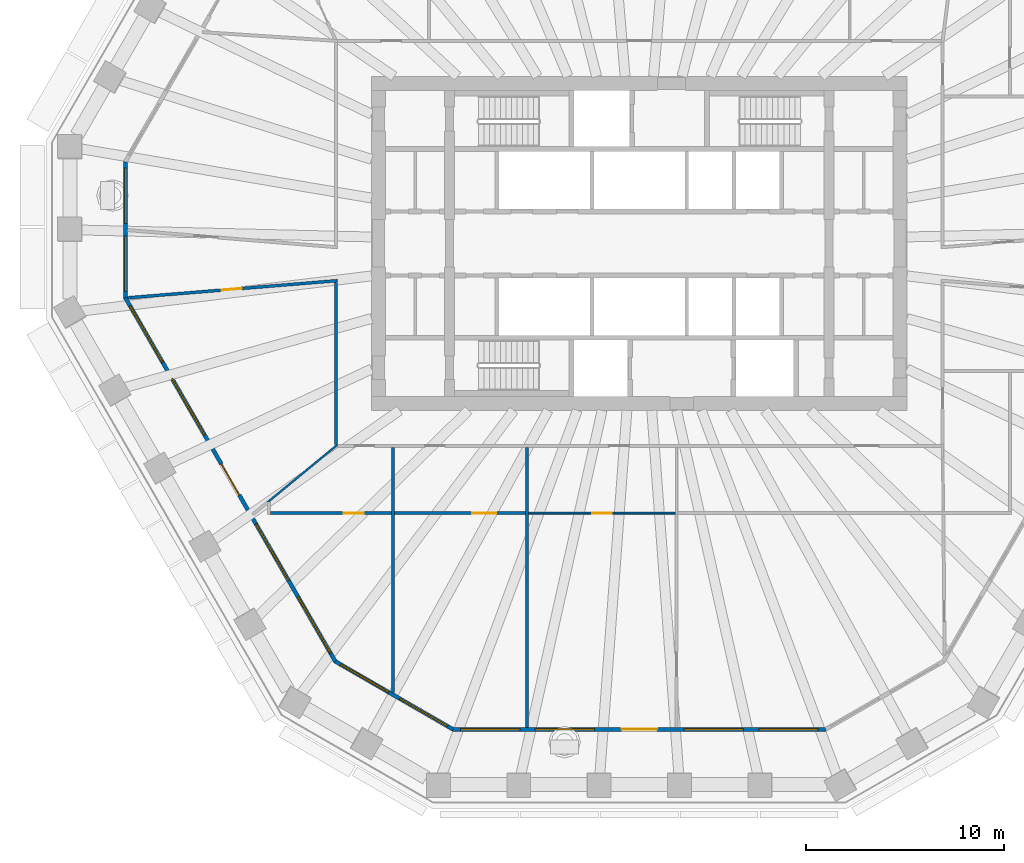
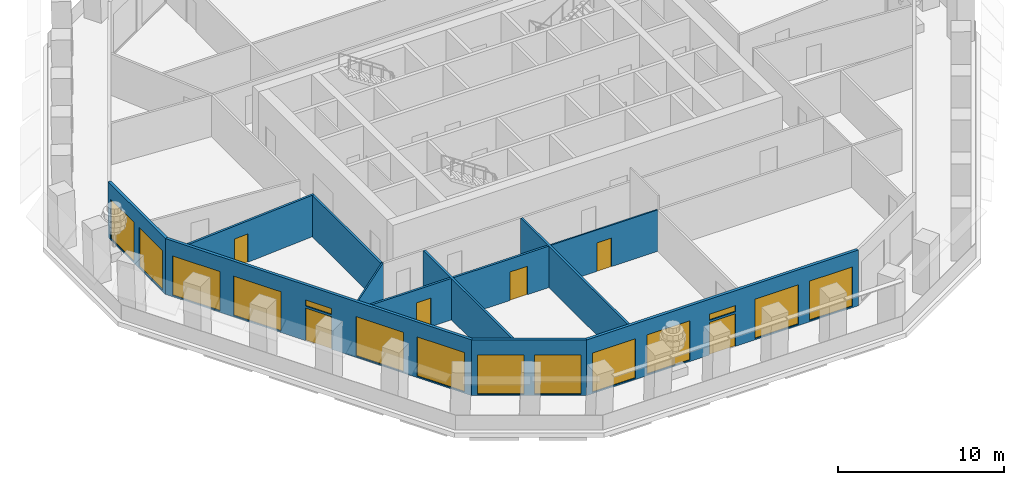
# One storey, part 3 of 13: 14 windows, 11 walls, 6 doors, 20 openings.
"""IFC4 building model written with IfcOpenShell, lengths in metres."""

from ifc_helpers import new_model, si_unit, direction, frame, frame_2d, origin, place, context, subcontext, project, spatial, polyline, rectangle, outline, extrude, material, layer, layer_set, type_object, element, fill, save


model = new_model("IFC4")

# Units and contexts
model_context = context("Model", 3, precision=1e-05, world=origin(), true_north=direction((0.0, 1.0)))
body_context = subcontext(model_context, "Body", "Model", "MODEL_VIEW")
ifc_project = project(units=[si_unit("LENGTHUNIT", "METRE"), si_unit("AREAUNIT", "SQUARE_METRE"), si_unit("VOLUMEUNIT", "CUBIC_METRE"), si_unit("PLANEANGLEUNIT", "RADIAN"), si_unit("MASSUNIT", "GRAM", prefix="KILO")], contexts=[model_context])

# Site, building, storey
site_placement = place(None, origin())
site = spatial("IfcSite", under=ifc_project, at=site_placement, CompositionType="ELEMENT")
building_placement = place(site_placement, origin())
building = spatial("IfcBuilding", under=site, at=building_placement, Name="Frailejon Research Tower", CompositionType="ELEMENT")
storey_placement = place(building_placement, frame((0.0, 0.0, 167.199951171875)))
storey = spatial("IfcBuildingStorey", under=building, at=storey_placement, Name="L36", CompositionType="ELEMENT", Elevation=167.199951171875)

# Wall
ifc_material_1 = material(Name="Gypsum board and masonry partition", Category="masonry")
ifc_layer_1 = layer(ifc_material_1, 0.14990234375)
ifc_layer_set_1 = layer_set([ifc_layer_1], Name="Corridor wall EI 60, gypsum on steel studs 150")
wall_type_1 = type_object("IfcWallType", Name="Corridor wall EI 60, gypsum on steel studs 150", PredefinedType="PARTITIONING", material=ifc_layer_set_1)
wall_1_placement = place(storey_placement, frame((-15.35009765625, -10.175048828125, 0.0), z_axis=(0.0, 0.0, 1.0), x_axis=(0.0, 1.0, 0.0)))
element("IfcWall", 1, at=wall_1_placement, inside=storey, type_object=wall_type_1, Name="T:IW:L36:004", PredefinedType="PARTITIONING", context=body_context, shape_type="SweptSolid", body=[
    extrude(rectangle(XDim=8.209228515625, YDim=0.14990234375, at=frame_2d((4.1044921875, 0.0))), origin(), (0.0, 0.0, 1.0), 3.050048828125),
])

# Wall, opening, door
wall_2_placement = place(storey_placement, frame((-25.8916015625, -2.754638671875, 0.0), z_axis=(0.0, 0.0, 1.0), x_axis=(0.996658010699, 0.081687267734, 0.0)))
wall_2 = element("IfcWall", 2, at=wall_2_placement, inside=storey, type_object=wall_type_1, Name="T:IW:L36:008", PredefinedType="PARTITIONING", context=body_context, shape_type="SweptSolid", body=[
    extrude(rectangle(XDim=10.65185546875, YDim=0.14990234375, at=frame_2d((5.325927734375, 0.0))), origin(), (0.0, 0.0, 1.0), 3.050048828125),
])
opening_1_placement = place(wall_2_placement, frame((4.788330078125, 0.0, 0.0)))
opening_1 = element("IfcOpeningElement", 3, at=opening_1_placement, cuts=wall_2, Name="Opening D1791", PredefinedType="OPENING", context=body_context, shape_type="SweptSolid", body=[
    extrude(rectangle(XDim=1.0, YDim=2.10009765625, at=frame_2d((0.5, 1.050048828125))), frame((0.0, 0.0849609375, 0.0), z_axis=(0.0, -1.0, 0.0), x_axis=(1.0, 0.0, 0.0)), (0.0, 0.0, 1.0), 0.169921875),
])
ifc_material_2 = material(Name="Timber door leaf", Category="wood")
door_type_1 = type_object("IfcDoorType", Name="Door single leaf, timber, steel frame 1000", OperationType="NOTDEFINED", PredefinedType="DOOR", material=ifc_material_2)
door_1_placement = place(opening_1_placement, origin())
door_1 = element("IfcDoor", 4, at=door_1_placement, inside=storey, type_object=door_type_1, Name="D1791", OperationType="SINGLE_SWING_LEFT", OverallHeight=2.10009765625, OverallWidth=1.0, PredefinedType="DOOR", context=body_context, shape_type="SweptSolid", body=[
    extrude(rectangle(XDim=1.0, YDim=2.10009765625, at=frame_2d((0.5, 1.050048828125))), frame((0.0, 0.02490234375, 0.0), z_axis=(0.0, -1.0, 0.0), x_axis=(1.0, 0.0, 0.0)), (0.0, 0.0, 1.0), 0.050048828125),
])
fill(opening_1, door_1)

# Wall, openings, doors
ifc_material_3 = material(Name="Gypsum board and masonry partition", Category="masonry")
ifc_layer_2 = layer(ifc_material_3, 0.14990234375)
ifc_layer_set_2 = layer_set([ifc_layer_2], Name="Laboratory partition, blockwork 150")
wall_type_2 = type_object("IfcWallType", Name="Laboratory partition, blockwork 150", PredefinedType="PARTITIONING", material=ifc_layer_set_2)
wall_3_placement = place(storey_placement, frame((-18.675048828125, -13.64990234375, 0.0), z_axis=(0.0, 0.0, 1.0), x_axis=(1.0, 0.0, 0.0)))
wall_3 = element("IfcWall", 5, at=wall_3_placement, inside=storey, type_object=wall_type_2, Name="T:IW:L36:022", PredefinedType="PARTITIONING", context=body_context, shape_type="SweptSolid", body=[
    extrude(rectangle(XDim=12.92578125, YDim=0.14990234375, at=frame_2d((6.462890625, 0.0))), origin(), (0.0, 0.0, 1.0), 3.050048828125),
])
opening_2_placement = place(wall_3_placement, frame((3.719482421875, 0.0, 0.0)))
opening_2 = element("IfcOpeningElement", 6, at=opening_2_placement, cuts=wall_3, Name="Opening D1793", PredefinedType="OPENING", context=body_context, shape_type="SweptSolid", body=[
    extrude(rectangle(XDim=1.0, YDim=2.10009765625, at=frame_2d((0.5, 1.050048828125))), frame((0.0, 0.0849609375, 0.0), z_axis=(0.0, -1.0, 0.0), x_axis=(1.0, 0.0, 0.0)), (0.0, 0.0, 1.0), 0.169921875),
])
opening_3_placement = place(wall_3_placement, frame((10.22998046875, 0.0, 0.0)))
opening_3 = element("IfcOpeningElement", 7, at=opening_3_placement, cuts=wall_3, Name="Opening D1795", PredefinedType="OPENING", context=body_context, shape_type="SweptSolid", body=[
    extrude(rectangle(XDim=1.199951171875, YDim=2.10009765625, at=frame_2d((0.60009765625, 1.050048828125))), frame((0.0, 0.0849609375, 0.0), z_axis=(0.0, -1.0, 0.0), x_axis=(1.0, 0.0, 0.0)), (0.0, 0.0, 1.0), 0.169921875),
])
ifc_material_4 = material(Name="Timber door leaf", Category="wood")
door_type_2 = type_object("IfcDoorType", Name="Door laboratory, timber, vision panel 1000", OperationType="NOTDEFINED", PredefinedType="DOOR", material=ifc_material_4)
door_2_placement = place(opening_2_placement, origin())
door_2 = element("IfcDoor", 8, at=door_2_placement, inside=storey, type_object=door_type_2, Name="D1793", OperationType="SINGLE_SWING_RIGHT", OverallHeight=2.10009765625, OverallWidth=1.0, PredefinedType="DOOR", context=body_context, shape_type="SweptSolid", body=[
    extrude(rectangle(XDim=1.0, YDim=2.10009765625, at=frame_2d((0.5, 1.050048828125))), frame((0.0, 0.02490234375, 0.0), z_axis=(0.0, -1.0, 0.0), x_axis=(1.0, 0.0, 0.0)), (0.0, 0.0, 1.0), 0.050048828125),
])
fill(opening_2, door_2)
ifc_material_5 = material(Name="Timber door leaf", Category="wood")
door_type_3 = type_object("IfcDoorType", Name="Door laboratory, timber, vision panel 1200", OperationType="NOTDEFINED", PredefinedType="DOOR", material=ifc_material_5)
door_3_placement = place(opening_3_placement, origin())
door_3 = element("IfcDoor", 9, at=door_3_placement, inside=storey, type_object=door_type_3, Name="D1795", OperationType="DOUBLE_DOOR_SINGLE_SWING", OverallHeight=2.10009765625, OverallWidth=1.199951171875, PredefinedType="DOOR", context=body_context, shape_type="SweptSolid", body=[
    extrude(rectangle(XDim=1.199951171875, YDim=2.10009765625, at=frame_2d((0.60009765625, 1.050048828125))), frame((0.0, 0.02490234375, 0.0), z_axis=(0.0, -1.0, 0.0), x_axis=(1.0, 0.0, 0.0)), (0.0, 0.0, 1.0), 0.050048828125),
])
fill(opening_3, door_3)

# Walls
wall_4_placement = place(storey_placement, frame((-12.457275390625, -22.728515625, 0.0), z_axis=(0.0, 0.0, 1.0), x_axis=(0.0, 1.0, 0.0)))
element("IfcWall", 10, at=wall_4_placement, inside=storey, type_object=wall_type_2, Name="T:IW:L36:025", PredefinedType="PARTITIONING", context=body_context, shape_type="SweptSolid", body=[
    extrude(rectangle(XDim=12.403564453125, YDim=0.14990234375, at=frame_2d((6.20166015625, 0.0))), origin(), (0.0, 0.0, 1.0), 3.050048828125),
])
wall_5_placement = place(storey_placement, frame((-5.67431640625, -24.491455078125, 0.0), z_axis=(0.0, 0.0, 1.0), x_axis=(0.0, 1.0, 0.0)))
element("IfcWall", 11, at=wall_5_placement, inside=storey, type_object=wall_type_2, Name="T:IW:L36:026", PredefinedType="PARTITIONING", context=body_context, shape_type="SweptSolid", body=[
    extrude(rectangle(XDim=14.16650390625, YDim=0.14990234375, at=frame_2d((7.083251953125, 0.0))), origin(), (0.0, 0.0, 1.0), 3.050048828125),
])
ifc_material_6 = material(Name="Gypsum board and masonry partition", Category="masonry")
ifc_layer_3 = layer(ifc_material_6, 0.10009765625)
ifc_layer_set_3 = layer_set([ifc_layer_3], Name="Partition, gypsum on steel studs 100")
wall_type_3 = type_object("IfcWallType", Name="Partition, gypsum on steel studs 100", PredefinedType="PARTITIONING", material=ifc_layer_set_3)
wall_6_placement = place(storey_placement, frame((-18.807861328125, -13.095703125, 0.0), z_axis=(0.0, 0.0, 1.0), x_axis=(0.772157704822, 0.635430939508, 0.0)))
element("IfcWall", 12, at=wall_6_placement, inside=storey, type_object=wall_type_3, Name="T:IW:L36:032", PredefinedType="PARTITIONING", context=body_context, shape_type="SweptSolid", body=[
    extrude(rectangle(XDim=4.55322265625, YDim=0.10009765625, at=frame_2d((2.276611328125, 0.0))), origin(), (0.0, 0.0, 1.0), 3.050048828125),
])

# Wall, opening, door
wall_7_placement = place(storey_placement, frame((-5.599365234375, -13.64990234375, 0.0), z_axis=(0.0, 0.0, 1.0), x_axis=(1.0, 0.0, 0.0)))
wall_7 = element("IfcWall", 13, at=wall_7_placement, inside=storey, type_object=wall_type_3, Name="T:IW:L36:033", PredefinedType="PARTITIONING", context=body_context, shape_type="SweptSolid", body=[
    extrude(rectangle(XDim=7.440673828125, YDim=0.10009765625, at=frame_2d((3.72021484375, 0.0))), origin(), (0.0, 0.0, 1.0), 3.050048828125),
])
opening_4_placement = place(wall_7_placement, frame((3.2080078125, 0.0, 0.0)))
opening_4 = element("IfcOpeningElement", 14, at=opening_4_placement, cuts=wall_7, Name="Opening D1797", PredefinedType="OPENING", context=body_context, shape_type="SweptSolid", body=[
    extrude(rectangle(XDim=1.0, YDim=2.10009765625, at=frame_2d((0.5, 1.050048828125))), frame((0.0, 0.06005859375, 0.0), z_axis=(0.0, -1.0, 0.0), x_axis=(1.0, 0.0, 0.0)), (0.0, 0.0, 1.0), 0.1201171875),
])
door_4_placement = place(opening_4_placement, origin())
door_4 = element("IfcDoor", 15, at=door_4_placement, inside=storey, type_object=door_type_1, Name="D1797", OperationType="SINGLE_SWING_RIGHT", OverallHeight=2.10009765625, OverallWidth=1.0, PredefinedType="DOOR", context=body_context, shape_type="SweptSolid", body=[
    extrude(rectangle(XDim=1.0, YDim=2.10009765625, at=frame_2d((0.5, 1.050048828125))), frame((0.0, 0.02490234375, 0.0), z_axis=(0.0, -1.0, 0.0), x_axis=(1.0, 0.0, 0.0)), (0.0, 0.0, 1.0), 0.050048828125),
])
fill(opening_4, door_4)

# Wall, openings, windows
ifc_material_7 = material(Name="Concrete C40/50 precast window wall panel", Category="concrete")
ifc_layer_4 = layer(ifc_material_7, 0.199951171875)
ifc_layer_set_4 = layer_set([ifc_layer_4], Name="Window wall 200")
wall_type_4 = type_object("IfcWallType", Name="Window wall 200", PredefinedType="SOLIDWALL", material=ifc_layer_set_4)
wall_8_placement = place(storey_placement, frame((-26.011962890625, 4.128662109375, 0.0), z_axis=(0.0, 0.0, 1.0), x_axis=(0.0, -1.0, 0.0)))
wall_8 = element("IfcWall", 16, at=wall_8_placement, inside=storey, type_object=wall_type_4, Name="Exterior wall L36", PredefinedType="SOLIDWALL", context=body_context, shape_type="SweptSolid", body=[
    extrude(outline(polyline([(-0.02685546875, -0.10009765625), (1.1279296875, -0.10009765625), (2.282470703125, -0.10009765625), (3.437255859375, -0.10009765625), (4.592041015625, -0.10009765625), (5.74658203125, -0.10009765625), (6.9013671875, -0.10009765625), (6.84765625, 0.10009765625), (5.7109375, 0.10009765625), (4.573974609375, 0.10009765625), (3.437255859375, 0.10009765625), (2.300537109375, 0.10009765625), (1.16357421875, 0.10009765625), (0.02685546875, 0.10009765625), (-0.02685546875, -0.10009765625)])), origin(), (0.0, 0.0, 1.0), 4.10009765625),
])
opening_5_placement = place(wall_8_placement, frame((0.318603515625, 0.0, 0.10009765625)))
opening_5 = element("IfcOpeningElement", 17, at=opening_5_placement, cuts=wall_8, Name="Opening W3", PredefinedType="OPENING", context=body_context, shape_type="SweptSolid", body=[
    extrude(rectangle(XDim=2.800048828125, YDim=2.89990234375, at=frame_2d((1.39990234375, 1.449951171875))), frame((0.0, 0.10986328125, 0.0), z_axis=(0.0, -1.0, 0.0), x_axis=(1.0, 0.0, 0.0)), (0.0, 0.0, 1.0), 0.219970703125),
])
opening_6_placement = place(wall_8_placement, frame((3.756103515625, 0.0, 0.10009765625)))
opening_6 = element("IfcOpeningElement", 18, at=opening_6_placement, cuts=wall_8, Name="Opening W3", PredefinedType="OPENING", context=body_context, shape_type="SweptSolid", body=[
    extrude(rectangle(XDim=2.800048828125, YDim=2.89990234375, at=frame_2d((1.39990234375, 1.449951171875))), frame((0.0, 0.10986328125, 0.0), z_axis=(0.0, -1.0, 0.0), x_axis=(1.0, 0.0, 0.0)), (0.0, 0.0, 1.0), 0.219970703125),
])
ifc_material_8 = material(Name="Aluminium framed double glazing", Category="aluminium")
window_type_1 = type_object("IfcWindowType", Name="Window 2800x2900", PartitioningType="SINGLE_PANEL", PredefinedType="WINDOW", material=ifc_material_8)
window_1_placement = place(opening_5_placement, origin())
window_1 = element("IfcWindow", 19, at=window_1_placement, inside=storey, type_object=window_type_1, Name="Window L36", OverallHeight=2.89990234375, OverallWidth=2.800048828125, PartitioningType="SINGLE_PANEL", PredefinedType="WINDOW", context=body_context, shape_type="SweptSolid", body=[
    extrude(rectangle(XDim=2.800048828125, YDim=2.89990234375, at=frame_2d((1.39990234375, 1.449951171875))), frame((0.0, 0.030029296875, 0.0), z_axis=(0.0, -1.0, 0.0), x_axis=(1.0, 0.0, 0.0)), (0.0, 0.0, 1.0), 0.06005859375),
])
fill(opening_5, window_1)
window_2_placement = place(opening_6_placement, origin())
window_2 = element("IfcWindow", 20, at=window_2_placement, inside=storey, type_object=window_type_1, Name="Window L36", OverallHeight=2.89990234375, OverallWidth=2.800048828125, PartitioningType="SINGLE_PANEL", PredefinedType="WINDOW", context=body_context, shape_type="SweptSolid", body=[
    extrude(rectangle(XDim=2.800048828125, YDim=2.89990234375, at=frame_2d((1.39990234375, 1.449951171875))), frame((0.0, 0.030029296875, 0.0), z_axis=(0.0, -1.0, 0.0), x_axis=(1.0, 0.0, 0.0)), (0.0, 0.0, 1.0), 0.06005859375),
])
fill(opening_6, window_2)

# Wall, openings, door, windows
wall_9_placement = place(storey_placement, frame((-26.011962890625, -2.745849609375, 0.0), z_axis=(0.0, 0.0, 1.0), x_axis=(0.499998188434, -0.86602644969, 0.0)))
wall_9 = element("IfcWall", 21, at=wall_9_placement, inside=storey, type_object=wall_type_4, Name="Exterior wall L36", PredefinedType="SOLIDWALL", context=body_context, shape_type="SweptSolid", body=[
    extrude(outline(polyline([(-0.02685546875, -0.10009765625), (0.98779296875, -0.10009765625), (2.002685546875, -0.10009765625), (3.017333984375, -0.10009765625), (4.0322265625, -0.10009765625), (5.046875, -0.10009765625), (6.0615234375, -0.10009765625), (7.076416015625, -0.10009765625), (8.091064453125, -0.10009765625), (9.105712890625, -0.10009765625), (10.12060546875, -0.10009765625), (11.13525390625, -0.10009765625), (12.150146484375, -0.10009765625), (13.164794921875, -0.10009765625), (14.179443359375, -0.10009765625), (15.1943359375, -0.10009765625), (16.208984375, -0.10009765625), (17.2236328125, -0.10009765625), (18.238525390625, -0.10009765625), (19.253173828125, -0.10009765625), (20.26806640625, -0.10009765625), (21.28271484375, -0.10009765625), (21.22900390625, 0.10009765625), (20.219482421875, 0.10009765625), (19.209716796875, 0.10009765625), (18.2001953125, 0.10009765625), (17.1904296875, 0.10009765625), (16.180908203125, 0.10009765625), (15.171142578125, 0.10009765625), (14.16162109375, 0.10009765625), (13.152099609375, 0.10009765625), (12.142333984375, 0.10009765625), (11.1328125, 0.10009765625), (10.123046875, 0.10009765625), (9.113525390625, 0.10009765625), (8.103759765625, 0.10009765625), (7.09423828125, 0.10009765625), (6.084716796875, 0.10009765625), (5.074951171875, 0.10009765625), (4.0654296875, 0.10009765625), (3.0556640625, 0.10009765625), (2.046142578125, 0.10009765625), (1.036376953125, 0.10009765625), (0.02685546875, 0.10009765625), (-0.02685546875, -0.10009765625)])), origin(), (0.0, 0.0, 1.0), 4.10009765625),
])
opening_7_placement = place(wall_9_placement, frame((0.4755859375, 0.0, 0.10009765625)))
opening_7 = element("IfcOpeningElement", 22, at=opening_7_placement, cuts=wall_9, Name="Opening W5", PredefinedType="OPENING", context=body_context, shape_type="SweptSolid", body=[
    extrude(rectangle(XDim=3.300048828125, YDim=2.89990234375, at=frame_2d((1.64990234375, 1.449951171875))), frame((0.0, 0.10986328125, 0.0), z_axis=(0.0, -1.0, 0.0), x_axis=(1.0, 0.0, 0.0)), (0.0, 0.0, 1.0), 0.219970703125),
])
opening_8_placement = place(wall_9_placement, frame((4.726806640625, 0.0, 0.10009765625)))
opening_8 = element("IfcOpeningElement", 23, at=opening_8_placement, cuts=wall_9, Name="Opening W5", PredefinedType="OPENING", context=body_context, shape_type="SweptSolid", body=[
    extrude(rectangle(XDim=3.300048828125, YDim=2.89990234375, at=frame_2d((1.64990234375, 1.449951171875))), frame((0.0, 0.10986328125, 0.0), z_axis=(0.0, -1.0, 0.0), x_axis=(1.0, 0.0, 0.0)), (0.0, 0.0, 1.0), 0.219970703125),
])
opening_9_placement = place(wall_9_placement, frame((9.727783203125, 0.0, 0.0)))
opening_9 = element("IfcOpeningElement", 24, at=opening_9_placement, cuts=wall_9, Name="Opening LG36-4", PredefinedType="OPENING", context=body_context, shape_type="SweptSolid", body=[
    extrude(rectangle(XDim=1.800048828125, YDim=2.39990234375, at=frame_2d((0.89990234375, 1.199951171875))), frame((0.0, 0.10986328125, 0.0), z_axis=(0.0, -1.0, 0.0), x_axis=(1.0, 0.0, 0.0)), (0.0, 0.0, 1.0), 0.219970703125),
])
opening_10_placement = place(wall_9_placement, frame((9.727783203125, 0.0, 2.550048828125)))
opening_10 = element("IfcOpeningElement", 25, at=opening_10_placement, cuts=wall_9, Name="Opening W1", PredefinedType="OPENING", context=body_context, shape_type="SweptSolid", body=[
    extrude(rectangle(XDim=1.800048828125, YDim=0.449951171875, at=frame_2d((0.89990234375, 0.22509765625))), frame((0.0, 0.10986328125, 0.0), z_axis=(0.0, -1.0, 0.0), x_axis=(1.0, 0.0, 0.0)), (0.0, 0.0, 1.0), 0.219970703125),
])
opening_11_placement = place(wall_9_placement, frame((13.22900390625, 0.0, 0.10009765625)))
opening_11 = element("IfcOpeningElement", 26, at=opening_11_placement, cuts=wall_9, Name="Opening W5", PredefinedType="OPENING", context=body_context, shape_type="SweptSolid", body=[
    extrude(rectangle(XDim=3.300048828125, YDim=2.89990234375, at=frame_2d((1.64990234375, 1.449951171875))), frame((0.0, 0.10986328125, 0.0), z_axis=(0.0, -1.0, 0.0), x_axis=(1.0, 0.0, 0.0)), (0.0, 0.0, 1.0), 0.219970703125),
])
opening_12_placement = place(wall_9_placement, frame((17.480224609375, 0.0, 0.10009765625)))
opening_12 = element("IfcOpeningElement", 27, at=opening_12_placement, cuts=wall_9, Name="Opening W5", PredefinedType="OPENING", context=body_context, shape_type="SweptSolid", body=[
    extrude(rectangle(XDim=3.300048828125, YDim=2.89990234375, at=frame_2d((1.64990234375, 1.449951171875))), frame((0.0, 0.10986328125, 0.0), z_axis=(0.0, -1.0, 0.0), x_axis=(1.0, 0.0, 0.0)), (0.0, 0.0, 1.0), 0.219970703125),
])
ifc_material_9 = material(Name="Aluminium framed glazed door leaf", Category="aluminium")
door_type_4 = type_object("IfcDoorType", Name="Loggia door 1800x2400", OperationType="DOUBLE_DOOR_SINGLE_SWING", PredefinedType="DOOR", material=ifc_material_9)
door_5_placement = place(opening_9_placement, origin())
door_5 = element("IfcDoor", 28, at=door_5_placement, inside=storey, type_object=door_type_4, Name="Door LG36-4", OperationType="DOUBLE_DOOR_SINGLE_SWING", OverallHeight=2.39990234375, OverallWidth=1.800048828125, PredefinedType="DOOR", context=body_context, shape_type="SweptSolid", body=[
    extrude(rectangle(XDim=1.800048828125, YDim=2.39990234375, at=frame_2d((0.89990234375, 1.199951171875))), frame((0.0, 0.02490234375, 0.0), z_axis=(0.0, -1.0, 0.0), x_axis=(1.0, 0.0, 0.0)), (0.0, 0.0, 1.0), 0.050048828125),
])
fill(opening_9, door_5)
ifc_material_10 = material(Name="Aluminium framed double glazing", Category="aluminium")
window_type_2 = type_object("IfcWindowType", Name="Window 1800x450", PartitioningType="SINGLE_PANEL", PredefinedType="WINDOW", material=ifc_material_10)
window_3_placement = place(opening_10_placement, origin())
window_3 = element("IfcWindow", 29, at=window_3_placement, inside=storey, type_object=window_type_2, Name="Window L36", OverallHeight=0.449951171875, OverallWidth=1.800048828125, PartitioningType="SINGLE_PANEL", PredefinedType="WINDOW", context=body_context, shape_type="SweptSolid", body=[
    extrude(rectangle(XDim=1.800048828125, YDim=0.449951171875, at=frame_2d((0.89990234375, 0.22509765625))), frame((0.0, 0.030029296875, 0.0), z_axis=(0.0, -1.0, 0.0), x_axis=(1.0, 0.0, 0.0)), (0.0, 0.0, 1.0), 0.06005859375),
])
fill(opening_10, window_3)
ifc_material_11 = material(Name="Aluminium framed double glazing", Category="aluminium")
window_type_3 = type_object("IfcWindowType", Name="Window 3300x2900", PartitioningType="SINGLE_PANEL", PredefinedType="WINDOW", material=ifc_material_11)
window_4_placement = place(opening_7_placement, origin())
window_4 = element("IfcWindow", 30, at=window_4_placement, inside=storey, type_object=window_type_3, Name="Window L36", OverallHeight=2.89990234375, OverallWidth=3.300048828125, PartitioningType="SINGLE_PANEL", PredefinedType="WINDOW", context=body_context, shape_type="SweptSolid", body=[
    extrude(rectangle(XDim=3.300048828125, YDim=2.89990234375, at=frame_2d((1.64990234375, 1.449951171875))), frame((0.0, 0.030029296875, 0.0), z_axis=(0.0, -1.0, 0.0), x_axis=(1.0, 0.0, 0.0)), (0.0, 0.0, 1.0), 0.06005859375),
])
fill(opening_7, window_4)
window_5_placement = place(opening_8_placement, origin())
window_5 = element("IfcWindow", 31, at=window_5_placement, inside=storey, type_object=window_type_3, Name="Window L36", OverallHeight=2.89990234375, OverallWidth=3.300048828125, PartitioningType="SINGLE_PANEL", PredefinedType="WINDOW", context=body_context, shape_type="SweptSolid", body=[
    extrude(rectangle(XDim=3.300048828125, YDim=2.89990234375, at=frame_2d((1.64990234375, 1.449951171875))), frame((0.0, 0.030029296875, 0.0), z_axis=(0.0, -1.0, 0.0), x_axis=(1.0, 0.0, 0.0)), (0.0, 0.0, 1.0), 0.06005859375),
])
fill(opening_8, window_5)
window_6_placement = place(opening_11_placement, origin())
window_6 = element("IfcWindow", 32, at=window_6_placement, inside=storey, type_object=window_type_3, Name="Window L36", OverallHeight=2.89990234375, OverallWidth=3.300048828125, PartitioningType="SINGLE_PANEL", PredefinedType="WINDOW", context=body_context, shape_type="SweptSolid", body=[
    extrude(rectangle(XDim=3.300048828125, YDim=2.89990234375, at=frame_2d((1.64990234375, 1.449951171875))), frame((0.0, 0.030029296875, 0.0), z_axis=(0.0, -1.0, 0.0), x_axis=(1.0, 0.0, 0.0)), (0.0, 0.0, 1.0), 0.06005859375),
])
fill(opening_11, window_6)
window_7_placement = place(opening_12_placement, origin())
window_7 = element("IfcWindow", 33, at=window_7_placement, inside=storey, type_object=window_type_3, Name="Window L36", OverallHeight=2.89990234375, OverallWidth=3.300048828125, PartitioningType="SINGLE_PANEL", PredefinedType="WINDOW", context=body_context, shape_type="SweptSolid", body=[
    extrude(rectangle(XDim=3.300048828125, YDim=2.89990234375, at=frame_2d((1.64990234375, 1.449951171875))), frame((0.0, 0.030029296875, 0.0), z_axis=(0.0, -1.0, 0.0), x_axis=(1.0, 0.0, 0.0)), (0.0, 0.0, 1.0), 0.06005859375),
])
fill(opening_12, window_7)

# Wall, openings, windows
wall_10_placement = place(storey_placement, frame((-15.384033203125, -21.154052734375, 0.0), z_axis=(0.0, 0.0, 1.0), x_axis=(0.866029458321, -0.49999297727, 0.0)))
wall_10 = element("IfcWall", 34, at=wall_10_placement, inside=storey, type_object=wall_type_4, Name="Exterior wall L36", PredefinedType="SOLIDWALL", context=body_context, shape_type="SweptSolid", body=[
    extrude(outline(polyline([(-0.02685546875, -0.10009765625), (1.1279296875, -0.10009765625), (2.282470703125, -0.10009765625), (3.437255859375, -0.10009765625), (4.592041015625, -0.10009765625), (5.74658203125, -0.10009765625), (6.9013671875, -0.10009765625), (6.84765625, 0.10009765625), (5.7109375, 0.10009765625), (4.573974609375, 0.10009765625), (3.437255859375, 0.10009765625), (2.300537109375, 0.10009765625), (1.16357421875, 0.10009765625), (0.02685546875, 0.10009765625), (-0.02685546875, -0.10009765625)])), origin(), (0.0, 0.0, 1.0), 4.10009765625),
])
opening_13_placement = place(wall_10_placement, frame((0.318603515625, 0.0, 0.10009765625)))
opening_13 = element("IfcOpeningElement", 35, at=opening_13_placement, cuts=wall_10, Name="Opening W3", PredefinedType="OPENING", context=body_context, shape_type="SweptSolid", body=[
    extrude(rectangle(XDim=2.800048828125, YDim=2.89990234375, at=frame_2d((1.39990234375, 1.449951171875))), frame((0.0, 0.10986328125, 0.0), z_axis=(0.0, -1.0, 0.0), x_axis=(1.0, 0.0, 0.0)), (0.0, 0.0, 1.0), 0.219970703125),
])
opening_14_placement = place(wall_10_placement, frame((3.756103515625, 0.0, 0.10009765625)))
opening_14 = element("IfcOpeningElement", 36, at=opening_14_placement, cuts=wall_10, Name="Opening W3", PredefinedType="OPENING", context=body_context, shape_type="SweptSolid", body=[
    extrude(rectangle(XDim=2.800048828125, YDim=2.89990234375, at=frame_2d((1.39990234375, 1.449951171875))), frame((0.0, 0.10986328125, 0.0), z_axis=(0.0, -1.0, 0.0), x_axis=(1.0, 0.0, 0.0)), (0.0, 0.0, 1.0), 0.219970703125),
])
window_8_placement = place(opening_13_placement, origin())
window_8 = element("IfcWindow", 37, at=window_8_placement, inside=storey, type_object=window_type_1, Name="Window L36", OverallHeight=2.89990234375, OverallWidth=2.800048828125, PartitioningType="SINGLE_PANEL", PredefinedType="WINDOW", context=body_context, shape_type="SweptSolid", body=[
    extrude(rectangle(XDim=2.800048828125, YDim=2.89990234375, at=frame_2d((1.39990234375, 1.449951171875))), frame((0.0, 0.030029296875, 0.0), z_axis=(0.0, -1.0, 0.0), x_axis=(1.0, 0.0, 0.0)), (0.0, 0.0, 1.0), 0.06005859375),
])
fill(opening_13, window_8)
window_9_placement = place(opening_14_placement, origin())
window_9 = element("IfcWindow", 38, at=window_9_placement, inside=storey, type_object=window_type_1, Name="Window L36", OverallHeight=2.89990234375, OverallWidth=2.800048828125, PartitioningType="SINGLE_PANEL", PredefinedType="WINDOW", context=body_context, shape_type="SweptSolid", body=[
    extrude(rectangle(XDim=2.800048828125, YDim=2.89990234375, at=frame_2d((1.39990234375, 1.449951171875))), frame((0.0, 0.030029296875, 0.0), z_axis=(0.0, -1.0, 0.0), x_axis=(1.0, 0.0, 0.0)), (0.0, 0.0, 1.0), 0.06005859375),
])
fill(opening_14, window_9)

# Wall, openings, door, windows
wall_11_placement = place(storey_placement, frame((-9.430419921875, -24.59130859375, 0.0), z_axis=(0.0, 0.0, 1.0), x_axis=(1.0, 0.0, 0.0)))
wall_11 = element("IfcWall", 39, at=wall_11_placement, inside=storey, type_object=wall_type_4, Name="Exterior wall L36", PredefinedType="SOLIDWALL", context=body_context, shape_type="SweptSolid", body=[
    extrude(outline(polyline([(-0.02685546875, -0.10009765625), (1.02392578125, -0.10009765625), (2.07470703125, -0.10009765625), (3.12548828125, -0.10009765625), (4.17626953125, -0.10009765625), (5.227294921875, -0.10009765625), (6.278076171875, -0.10009765625), (7.328857421875, -0.10009765625), (8.379638671875, -0.10009765625), (9.430419921875, -0.10009765625), (10.481201171875, -0.10009765625), (11.531982421875, -0.10009765625), (12.582763671875, -0.10009765625), (13.633544921875, -0.10009765625), (14.6845703125, -0.10009765625), (15.7353515625, -0.10009765625), (16.7861328125, -0.10009765625), (17.8369140625, -0.10009765625), (18.8876953125, -0.10009765625), (18.833984375, 0.10009765625), (17.7890625, 0.10009765625), (16.744384765625, 0.10009765625), (15.699462890625, 0.10009765625), (14.654541015625, 0.10009765625), (13.60986328125, 0.10009765625), (12.56494140625, 0.10009765625), (11.52001953125, 0.10009765625), (10.475341796875, 0.10009765625), (9.430419921875, 0.10009765625), (8.385498046875, 0.10009765625), (7.3408203125, 0.10009765625), (6.2958984375, 0.10009765625), (5.2509765625, 0.10009765625), (4.206298828125, 0.10009765625), (3.161376953125, 0.10009765625), (2.116455078125, 0.10009765625), (1.07177734375, 0.10009765625), (0.02685546875, 0.10009765625), (-0.02685546875, -0.10009765625)])), origin(), (0.0, 0.0, 1.0), 4.10009765625),
])
opening_15_placement = place(wall_11_placement, frame((0.385986328125, 0.0, 0.10009765625)))
opening_15 = element("IfcOpeningElement", 40, at=opening_15_placement, cuts=wall_11, Name="Opening W4", PredefinedType="OPENING", context=body_context, shape_type="SweptSolid", body=[
    extrude(rectangle(XDim=3.0, YDim=2.89990234375, at=frame_2d((1.5, 1.449951171875))), frame((0.0, 0.10986328125, 0.0), z_axis=(0.0, -1.0, 0.0), x_axis=(1.0, 0.0, 0.0)), (0.0, 0.0, 1.0), 0.219970703125),
])
opening_16_placement = place(wall_11_placement, frame((4.158203125, 0.0, 0.10009765625)))
opening_16 = element("IfcOpeningElement", 41, at=opening_16_placement, cuts=wall_11, Name="Opening W4", PredefinedType="OPENING", context=body_context, shape_type="SweptSolid", body=[
    extrude(rectangle(XDim=3.0, YDim=2.89990234375, at=frame_2d((1.5, 1.449951171875))), frame((0.0, 0.10986328125, 0.0), z_axis=(0.0, -1.0, 0.0), x_axis=(1.0, 0.0, 0.0)), (0.0, 0.0, 1.0), 0.219970703125),
])
opening_17_placement = place(wall_11_placement, frame((8.530517578125, 0.0, 0.0)))
opening_17 = element("IfcOpeningElement", 42, at=opening_17_placement, cuts=wall_11, Name="Opening LG36-5", PredefinedType="OPENING", context=body_context, shape_type="SweptSolid", body=[
    extrude(rectangle(XDim=1.800048828125, YDim=2.39990234375, at=frame_2d((0.89990234375, 1.199951171875))), frame((0.0, 0.10986328125, 0.0), z_axis=(0.0, -1.0, 0.0), x_axis=(1.0, 0.0, 0.0)), (0.0, 0.0, 1.0), 0.219970703125),
])
opening_18_placement = place(wall_11_placement, frame((8.530517578125, 0.0, 2.550048828125)))
opening_18 = element("IfcOpeningElement", 43, at=opening_18_placement, cuts=wall_11, Name="Opening W1", PredefinedType="OPENING", context=body_context, shape_type="SweptSolid", body=[
    extrude(rectangle(XDim=1.800048828125, YDim=0.449951171875, at=frame_2d((0.89990234375, 0.22509765625))), frame((0.0, 0.10986328125, 0.0), z_axis=(0.0, -1.0, 0.0), x_axis=(1.0, 0.0, 0.0)), (0.0, 0.0, 1.0), 0.219970703125),
])
opening_19_placement = place(wall_11_placement, frame((11.70263671875, 0.0, 0.10009765625)))
opening_19 = element("IfcOpeningElement", 44, at=opening_19_placement, cuts=wall_11, Name="Opening W4", PredefinedType="OPENING", context=body_context, shape_type="SweptSolid", body=[
    extrude(rectangle(XDim=3.0, YDim=2.89990234375, at=frame_2d((1.5, 1.449951171875))), frame((0.0, 0.10986328125, 0.0), z_axis=(0.0, -1.0, 0.0), x_axis=(1.0, 0.0, 0.0)), (0.0, 0.0, 1.0), 0.219970703125),
])
opening_20_placement = place(wall_11_placement, frame((15.474853515625, 0.0, 0.10009765625)))
opening_20 = element("IfcOpeningElement", 45, at=opening_20_placement, cuts=wall_11, Name="Opening W4", PredefinedType="OPENING", context=body_context, shape_type="SweptSolid", body=[
    extrude(rectangle(XDim=3.0, YDim=2.89990234375, at=frame_2d((1.5, 1.449951171875))), frame((0.0, 0.10986328125, 0.0), z_axis=(0.0, -1.0, 0.0), x_axis=(1.0, 0.0, 0.0)), (0.0, 0.0, 1.0), 0.219970703125),
])
door_6_placement = place(opening_17_placement, origin())
door_6 = element("IfcDoor", 46, at=door_6_placement, inside=storey, type_object=door_type_4, Name="Door LG36-5", OperationType="DOUBLE_DOOR_SINGLE_SWING", OverallHeight=2.39990234375, OverallWidth=1.800048828125, PredefinedType="DOOR", context=body_context, shape_type="SweptSolid", body=[
    extrude(rectangle(XDim=1.800048828125, YDim=2.39990234375, at=frame_2d((0.89990234375, 1.199951171875))), frame((0.0, 0.02490234375, 0.0), z_axis=(0.0, -1.0, 0.0), x_axis=(1.0, 0.0, 0.0)), (0.0, 0.0, 1.0), 0.050048828125),
])
fill(opening_17, door_6)
window_10_placement = place(opening_18_placement, origin())
window_10 = element("IfcWindow", 47, at=window_10_placement, inside=storey, type_object=window_type_2, Name="Window L36", OverallHeight=0.449951171875, OverallWidth=1.800048828125, PartitioningType="SINGLE_PANEL", PredefinedType="WINDOW", context=body_context, shape_type="SweptSolid", body=[
    extrude(rectangle(XDim=1.800048828125, YDim=0.449951171875, at=frame_2d((0.89990234375, 0.22509765625))), frame((0.0, 0.030029296875, 0.0), z_axis=(0.0, -1.0, 0.0), x_axis=(1.0, 0.0, 0.0)), (0.0, 0.0, 1.0), 0.06005859375),
])
fill(opening_18, window_10)
ifc_material_12 = material(Name="Aluminium framed double glazing", Category="aluminium")
window_type_4 = type_object("IfcWindowType", Name="Window 3000x2900", PartitioningType="SINGLE_PANEL", PredefinedType="WINDOW", material=ifc_material_12)
window_11_placement = place(opening_15_placement, origin())
window_11 = element("IfcWindow", 48, at=window_11_placement, inside=storey, type_object=window_type_4, Name="Window L36", OverallHeight=2.89990234375, OverallWidth=3.0, PartitioningType="SINGLE_PANEL", PredefinedType="WINDOW", context=body_context, shape_type="SweptSolid", body=[
    extrude(rectangle(XDim=3.0, YDim=2.89990234375, at=frame_2d((1.5, 1.449951171875))), frame((0.0, 0.030029296875, 0.0), z_axis=(0.0, -1.0, 0.0), x_axis=(1.0, 0.0, 0.0)), (0.0, 0.0, 1.0), 0.06005859375),
])
fill(opening_15, window_11)
window_12_placement = place(opening_16_placement, origin())
window_12 = element("IfcWindow", 49, at=window_12_placement, inside=storey, type_object=window_type_4, Name="Window L36", OverallHeight=2.89990234375, OverallWidth=3.0, PartitioningType="SINGLE_PANEL", PredefinedType="WINDOW", context=body_context, shape_type="SweptSolid", body=[
    extrude(rectangle(XDim=3.0, YDim=2.89990234375, at=frame_2d((1.5, 1.449951171875))), frame((0.0, 0.030029296875, 0.0), z_axis=(0.0, -1.0, 0.0), x_axis=(1.0, 0.0, 0.0)), (0.0, 0.0, 1.0), 0.06005859375),
])
fill(opening_16, window_12)
window_13_placement = place(opening_19_placement, origin())
window_13 = element("IfcWindow", 50, at=window_13_placement, inside=storey, type_object=window_type_4, Name="Window L36", OverallHeight=2.89990234375, OverallWidth=3.0, PartitioningType="SINGLE_PANEL", PredefinedType="WINDOW", context=body_context, shape_type="SweptSolid", body=[
    extrude(rectangle(XDim=3.0, YDim=2.89990234375, at=frame_2d((1.5, 1.449951171875))), frame((0.0, 0.030029296875, 0.0), z_axis=(0.0, -1.0, 0.0), x_axis=(1.0, 0.0, 0.0)), (0.0, 0.0, 1.0), 0.06005859375),
])
fill(opening_19, window_13)
window_14_placement = place(opening_20_placement, origin())
window_14 = element("IfcWindow", 51, at=window_14_placement, inside=storey, type_object=window_type_4, Name="Window L36", OverallHeight=2.89990234375, OverallWidth=3.0, PartitioningType="SINGLE_PANEL", PredefinedType="WINDOW", context=body_context, shape_type="SweptSolid", body=[
    extrude(rectangle(XDim=3.0, YDim=2.89990234375, at=frame_2d((1.5, 1.449951171875))), frame((0.0, 0.030029296875, 0.0), z_axis=(0.0, -1.0, 0.0), x_axis=(1.0, 0.0, 0.0)), (0.0, 0.0, 1.0), 0.06005859375),
])
fill(opening_20, window_14)

save(model, "model.ifc")
